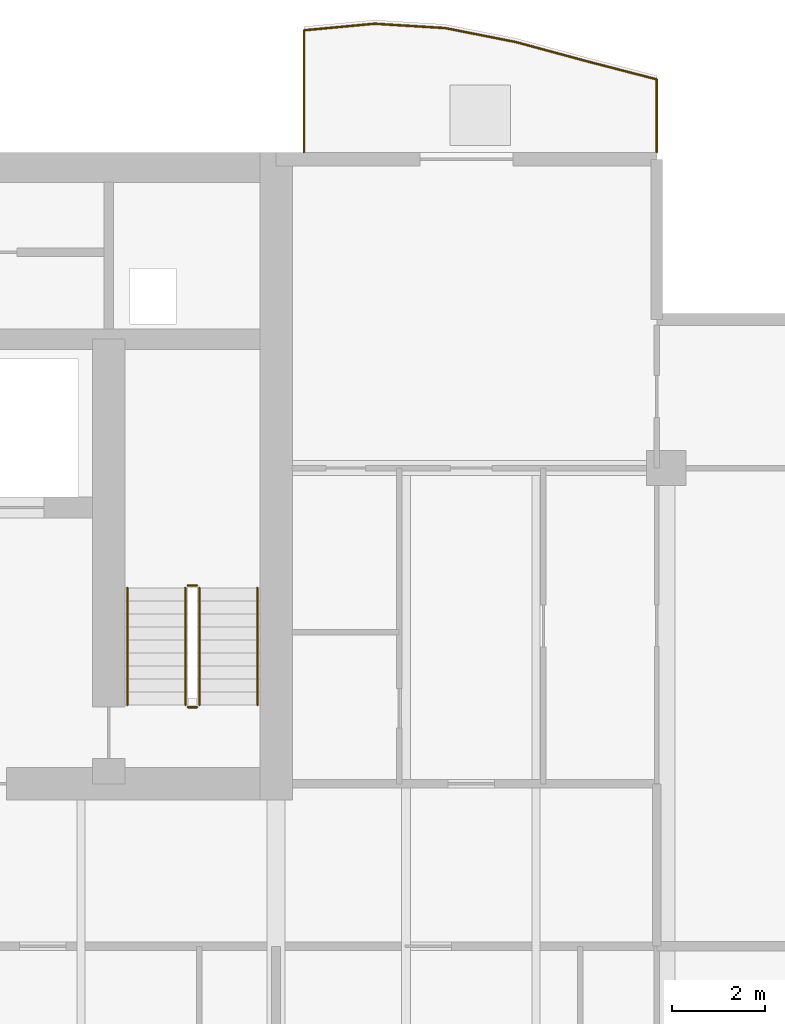
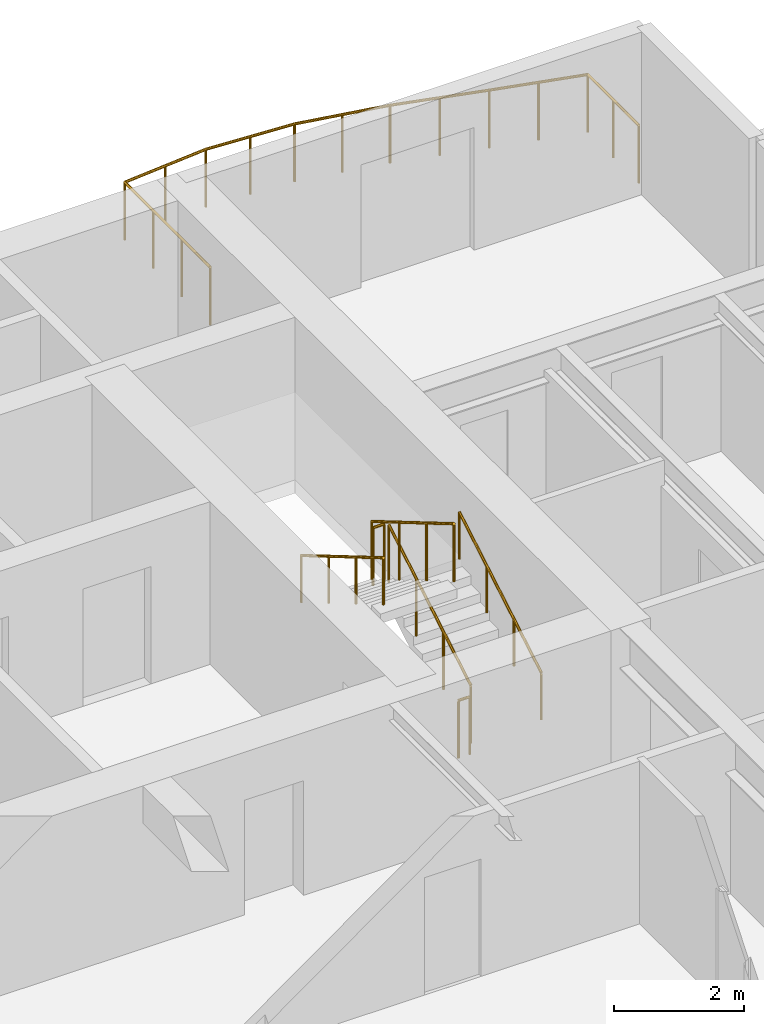
# One storey, part 18 of 19: 7 railings.
"""IFC4 building model written with IfcOpenShell, lengths in metres."""

from ifc_helpers import new_model, si_unit, direction, frame, origin, origin_2d, place, context, subcontext, project, spatial, circle, extrude, material, type_object, element, save


model = new_model("IFC4")

# Units and contexts
model_context = context("Model", 3, precision=1e-05, world=origin(), true_north=direction((0.0, 1.0)))
body_context = subcontext(model_context, "Body", "Model", "MODEL_VIEW")
ifc_project = project(units=[si_unit("LENGTHUNIT", "METRE"), si_unit("AREAUNIT", "SQUARE_METRE"), si_unit("VOLUMEUNIT", "CUBIC_METRE"), si_unit("PLANEANGLEUNIT", "RADIAN"), si_unit("MASSUNIT", "GRAM", prefix="KILO")], contexts=[model_context])

# Site, building, storey
site_placement = place(None, origin())
site = spatial("IfcSite", under=ifc_project, at=site_placement, CompositionType="ELEMENT")
building_placement = place(site_placement, origin())
building = spatial("IfcBuilding", under=site, at=building_placement, Name="Caelmar Bay Residences", CompositionType="ELEMENT")
storey_placement = place(building_placement, frame((0.0, 0.0, 188.39990234375)))
storey = spatial("IfcBuildingStorey", under=building, at=storey_placement, Name="L52", CompositionType="ELEMENT", Elevation=188.39990234375)

# Railings
ifc_material_1 = material(Name="Anodised bronze handrail with laminated hurricane glass infill", Category="glass")
railing_type_1 = type_object("IfcRailingType", Name="RL-BAL-1100", PredefinedType="BALUSTRADE", material=ifc_material_1)
railing_1_placement = place(storey_placement, frame((67.699951171875, 50.60009765625, 0.0)))
element("IfcRailing", 1, at=railing_1_placement, inside=storey, type_object=railing_type_1, Name="L52 north_east Balcony Balustrade", PredefinedType="BALUSTRADE", context=body_context, shape_type="SweptSolid", body=[
    extrude(circle(Radius=0.02392578125, at=origin_2d()), frame((0.0, 0.0, 1.076171875), z_axis=(0.0, 1.0, 0.0), x_axis=(-1.0, 0.0, 0.0)), (0.0, 0.0, 1.0), 1.570068359375),
    extrude(circle(Radius=0.02392578125, at=origin_2d()), frame((0.0, 1.570068359375, 1.076171875), z_axis=(-0.968040251218, 0.250794880375, 0.0), x_axis=(-0.250794880375, -0.968040251218, 0.0)), (0.0, 0.0, 1.0), 1.5703125),
    extrude(circle(Radius=0.02392578125, at=origin_2d()), frame((-1.52001953125, 1.9638671875, 1.076171875), z_axis=(-0.965273626461, 0.261240934884, 0.0), x_axis=(-0.261240934884, -0.965273626461, 0.0)), (0.0, 0.0, 1.0), 1.57470703125),
    extrude(circle(Radius=0.02392578125, at=origin_2d()), frame((-3.0400390625, 2.375244140625, 1.076171875), z_axis=(-0.981098441437, 0.193509297476, 0.0), x_axis=(-0.193509297476, -0.981098441437, 0.0)), (0.0, 0.0, 1.0), 1.54931640625),
    extrude(circle(Radius=0.02392578125, at=origin_2d()), frame((-4.56005859375, 2.675048828125, 1.076171875), z_axis=(-0.998112625987, 0.061409981647, 0.0), x_axis=(-0.061409981647, -0.998112625987, 0.0)), (0.0, 0.0, 1.0), 1.522705078125),
    extrude(circle(Radius=0.02392578125, at=origin_2d()), frame((-6.079833984375, 2.7685546875, 1.076171875), z_axis=(-0.995674076689, -0.092914654442, 0.0), x_axis=(0.092914654442, -0.995674076689, 0.0)), (0.0, 0.0, 1.0), 1.526611328125),
    extrude(circle(Radius=0.02392578125, at=origin_2d()), frame((-7.599853515625, 2.626708984375, 1.076171875), z_axis=(0.0, -1.0, 0.0), x_axis=(1.0, 0.0, 0.0)), (0.0, 0.0, 1.0), 2.626708984375),
    extrude(circle(Radius=0.02099609375, at=origin_2d()), origin(), (0.0, 0.0, 1.0), 1.052001953125),
    extrude(circle(Radius=0.02099609375, at=origin_2d()), frame((0.0, 0.78515625, 0.0)), (0.0, 0.0, 1.0), 1.052001953125),
    extrude(circle(Radius=0.02099609375, at=origin_2d()), frame((0.0, 1.570068359375, 0.0)), (0.0, 0.0, 1.0), 1.052001953125),
    extrude(circle(Radius=0.02099609375, at=origin_2d()), frame((-0.760009765625, 1.76708984375, 0.0)), (0.0, 0.0, 1.0), 1.052001953125),
    extrude(circle(Radius=0.02099609375, at=origin_2d()), frame((-1.52001953125, 1.9638671875, 0.0)), (0.0, 0.0, 1.0), 1.052001953125),
    extrude(circle(Radius=0.02099609375, at=origin_2d()), frame((-2.280029296875, 2.16943359375, 0.0)), (0.0, 0.0, 1.0), 1.052001953125),
    extrude(circle(Radius=0.02099609375, at=origin_2d()), frame((-3.0400390625, 2.375244140625, 0.0)), (0.0, 0.0, 1.0), 1.052001953125),
    extrude(circle(Radius=0.02099609375, at=origin_2d()), frame((-3.800048828125, 2.525146484375, 0.0)), (0.0, 0.0, 1.0), 1.052001953125),
    extrude(circle(Radius=0.02099609375, at=origin_2d()), frame((-4.56005859375, 2.675048828125, 0.0)), (0.0, 0.0, 1.0), 1.052001953125),
    extrude(circle(Radius=0.02099609375, at=origin_2d()), frame((-5.31982421875, 2.7216796875, 0.0)), (0.0, 0.0, 1.0), 1.052001953125),
    extrude(circle(Radius=0.02099609375, at=origin_2d()), frame((-6.079833984375, 2.7685546875, 0.0)), (0.0, 0.0, 1.0), 1.052001953125),
    extrude(circle(Radius=0.02099609375, at=origin_2d()), frame((-6.83984375, 2.69775390625, 0.0)), (0.0, 0.0, 1.0), 1.052001953125),
    extrude(circle(Radius=0.02099609375, at=origin_2d()), frame((-7.599853515625, 2.626708984375, 0.0)), (0.0, 0.0, 1.0), 1.052001953125),
    extrude(circle(Radius=0.02099609375, at=origin_2d()), frame((-7.599853515625, 1.751220703125, 0.0)), (0.0, 0.0, 1.0), 1.052001953125),
    extrude(circle(Radius=0.02099609375, at=origin_2d()), frame((-7.599853515625, 0.87548828125, 0.0)), (0.0, 0.0, 1.0), 1.052001953125),
    extrude(circle(Radius=0.02099609375, at=origin_2d()), frame((-7.599853515625, 0.0, 0.0)), (0.0, 0.0, 1.0), 1.052001953125),
])
ifc_material_2 = material(Name="Painted galvanized steel stair guard 1100 mm", Category="steel")
railing_type_2 = type_object("IfcRailingType", Name="RL-GRD-1100", PredefinedType="GUARDRAIL", material=ifc_material_2)
railing_2_placement = place(storey_placement, frame((57.85009765625, 38.699951171875, 0.1650390625)))
element("IfcRailing", 2, at=railing_2_placement, inside=storey, type_object=railing_type_2, Name="L52 ST2 stair guard 1", PredefinedType="GUARDRAIL", context=body_context, shape_type="SweptSolid", body=[
    extrude(circle(Radius=0.02392578125, at=origin_2d()), frame((0.0, 0.0, 1.076171875), z_axis=(0.0, 0.86152411907, 0.507716645641), x_axis=(-1.0, 0.0, 0.0)), (0.0, 0.0, 1.0), 2.925048828125),
    extrude(circle(Radius=0.02099609375, at=origin_2d()), origin(), (0.0, 0.0, 1.0), 1.052001953125),
    extrude(circle(Radius=0.02099609375, at=origin_2d()), frame((0.0, 0.840087890625, 0.4951171875)), (0.0, 0.0, 1.0), 1.052001953125),
    extrude(circle(Radius=0.02099609375, at=origin_2d()), frame((0.0, 1.679931640625, 0.989990234375)), (0.0, 0.0, 1.0), 1.052001953125),
    extrude(circle(Radius=0.02099609375, at=origin_2d()), frame((0.0, 2.52001953125, 1.485107421875)), (0.0, 0.0, 1.0), 1.052001953125),
])
railing_3_placement = place(storey_placement, frame((57.800048828125, 41.27001953125, 1.650146484375)))
element("IfcRailing", 3, at=railing_3_placement, inside=storey, type_object=railing_type_2, Name="L52 ST2 stair guard 2", PredefinedType="GUARDRAIL", context=body_context, shape_type="SweptSolid", body=[
    extrude(circle(Radius=0.02392578125, at=origin_2d()), frame((0.0, 0.0, 1.076171875), z_axis=(-1.0, 0.0, 0.0), x_axis=(0.0, -1.0, 0.0)), (0.0, 0.0, 1.0), 0.199951171875),
    extrude(circle(Radius=0.02099609375, at=origin_2d()), origin(), (0.0, 0.0, 1.0), 1.052001953125),
    extrude(circle(Radius=0.02099609375, at=origin_2d()), frame((-0.199951171875, 0.0, 0.0)), (0.0, 0.0, 1.0), 1.052001953125),
])
railing_4_placement = place(storey_placement, frame((57.550048828125, 41.219970703125, 1.815185546875)))
element("IfcRailing", 4, at=railing_4_placement, inside=storey, type_object=railing_type_2, Name="L52 ST2 stair guard 3", PredefinedType="GUARDRAIL", context=body_context, shape_type="SweptSolid", body=[
    extrude(circle(Radius=0.02392578125, at=origin_2d()), frame((0.0, 0.0, 1.076171875), z_axis=(0.0, -0.861560626758, 0.507654692109), x_axis=(1.0, 0.0, 0.0)), (0.0, 0.0, 1.0), 2.925048828125),
    extrude(circle(Radius=0.02099609375, at=origin_2d()), origin(), (0.0, 0.0, 1.0), 1.052001953125),
    extrude(circle(Radius=0.02099609375, at=origin_2d()), frame((0.0, -0.840087890625, 0.494873046875)), (0.0, 0.0, 1.0), 1.052001953125),
    extrude(circle(Radius=0.02099609375, at=origin_2d()), frame((0.0, -1.679931640625, 0.989990234375)), (0.0, 0.0, 1.0), 1.052001953125),
    extrude(circle(Radius=0.02099609375, at=origin_2d()), frame((0.0, -2.52001953125, 1.48486328125)), (0.0, 0.0, 1.0), 1.052001953125),
])
railing_5_placement = place(storey_placement, frame((57.800048828125, 38.64990234375, 0.0)))
element("IfcRailing", 5, at=railing_5_placement, inside=storey, type_object=railing_type_2, Name="L52 ST2 stair guard 4", PredefinedType="GUARDRAIL", context=body_context, shape_type="SweptSolid", body=[
    extrude(circle(Radius=0.02392578125, at=origin_2d()), frame((0.0, 0.0, 1.076171875), z_axis=(-1.0, 0.0, 0.0), x_axis=(0.0, -1.0, 0.0)), (0.0, 0.0, 1.0), 0.199951171875),
    extrude(circle(Radius=0.02099609375, at=origin_2d()), origin(), (0.0, 0.0, 1.0), 1.052001953125),
    extrude(circle(Radius=0.02099609375, at=origin_2d()), frame((-0.199951171875, 0.0, 0.0)), (0.0, 0.0, 1.0), 1.052001953125),
])
ifc_material_3 = material(Name="Brushed bronze stainless-steel tubular handrail 900 mm", Category="steel")
railing_type_3 = type_object("IfcRailingType", Name="RL-HND-900", PredefinedType="HANDRAIL", material=ifc_material_3)
railing_6_placement = place(storey_placement, frame((59.10009765625, 38.699951171875, 0.1650390625)))
element("IfcRailing", 6, at=railing_6_placement, inside=storey, type_object=railing_type_3, Name="L52 ST2 stair handrail 1", PredefinedType="HANDRAIL", context=body_context, shape_type="SweptSolid", body=[
    extrude(circle(Radius=0.02392578125, at=origin_2d()), frame((0.0, 0.0, 0.8759765625), z_axis=(0.0, 0.86152411907, 0.507716645641), x_axis=(-1.0, 0.0, 0.0)), (0.0, 0.0, 1.0), 2.925048828125),
    extrude(circle(Radius=0.02099609375, at=origin_2d()), origin(), (0.0, 0.0, 1.0), 0.851806640625),
    extrude(circle(Radius=0.02099609375, at=origin_2d()), frame((0.0, 0.840087890625, 0.4951171875)), (0.0, 0.0, 1.0), 0.851806640625),
    extrude(circle(Radius=0.02099609375, at=origin_2d()), frame((0.0, 1.679931640625, 0.989990234375)), (0.0, 0.0, 1.0), 0.851806640625),
    extrude(circle(Radius=0.02099609375, at=origin_2d()), frame((0.0, 2.52001953125, 1.485107421875)), (0.0, 0.0, 1.0), 0.851806640625),
])
railing_7_placement = place(storey_placement, frame((56.300048828125, 41.219970703125, 1.815185546875)))
element("IfcRailing", 7, at=railing_7_placement, inside=storey, type_object=railing_type_3, Name="L52 ST2 stair handrail 2", PredefinedType="HANDRAIL", context=body_context, shape_type="SweptSolid", body=[
    extrude(circle(Radius=0.02392578125, at=origin_2d()), frame((0.0, 0.0, 0.8759765625), z_axis=(0.0, -0.861560626758, 0.507654692109), x_axis=(1.0, 0.0, 0.0)), (0.0, 0.0, 1.0), 2.925048828125),
    extrude(circle(Radius=0.02099609375, at=origin_2d()), origin(), (0.0, 0.0, 1.0), 0.851806640625),
    extrude(circle(Radius=0.02099609375, at=origin_2d()), frame((0.0, -0.840087890625, 0.494873046875)), (0.0, 0.0, 1.0), 0.851806640625),
    extrude(circle(Radius=0.02099609375, at=origin_2d()), frame((0.0, -1.679931640625, 0.989990234375)), (0.0, 0.0, 1.0), 0.851806640625),
    extrude(circle(Radius=0.02099609375, at=origin_2d()), frame((0.0, -2.52001953125, 1.48486328125)), (0.0, 0.0, 1.0), 0.851806640625),
])

save(model, "model.ifc")
